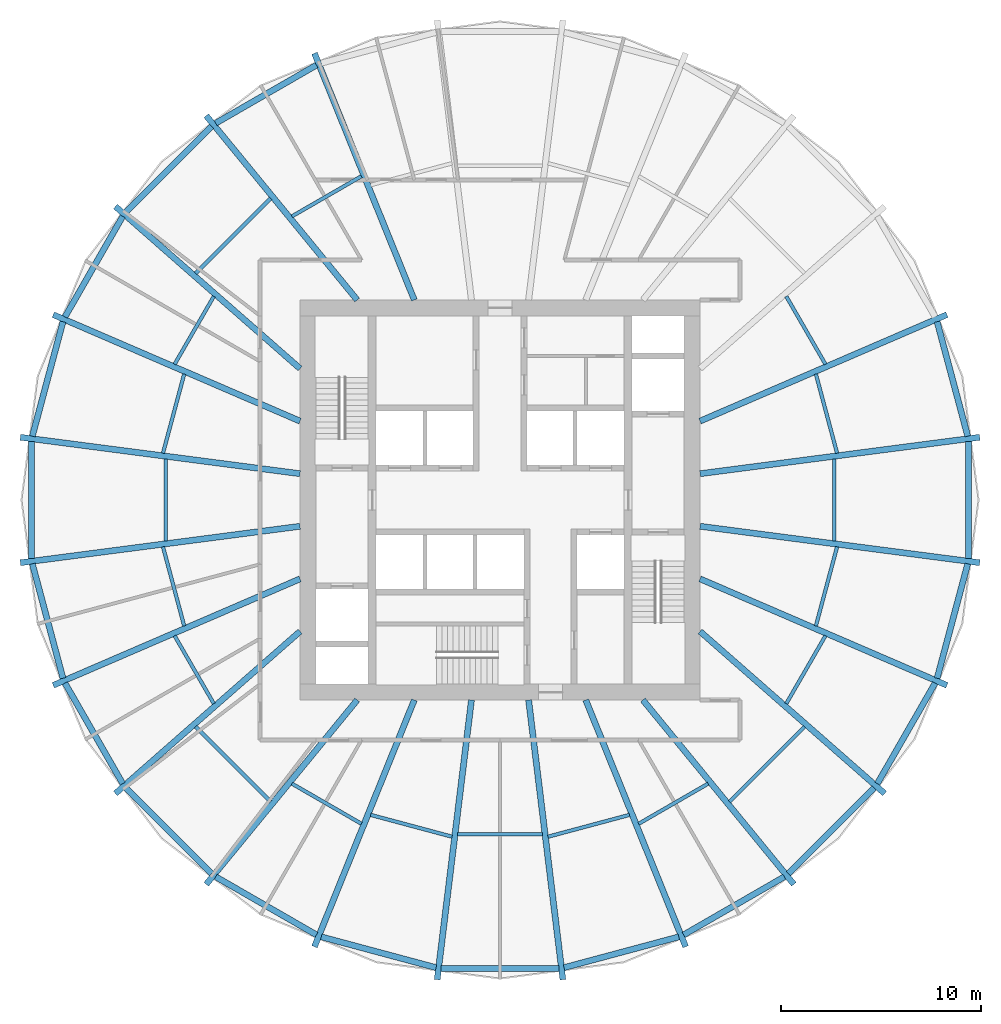
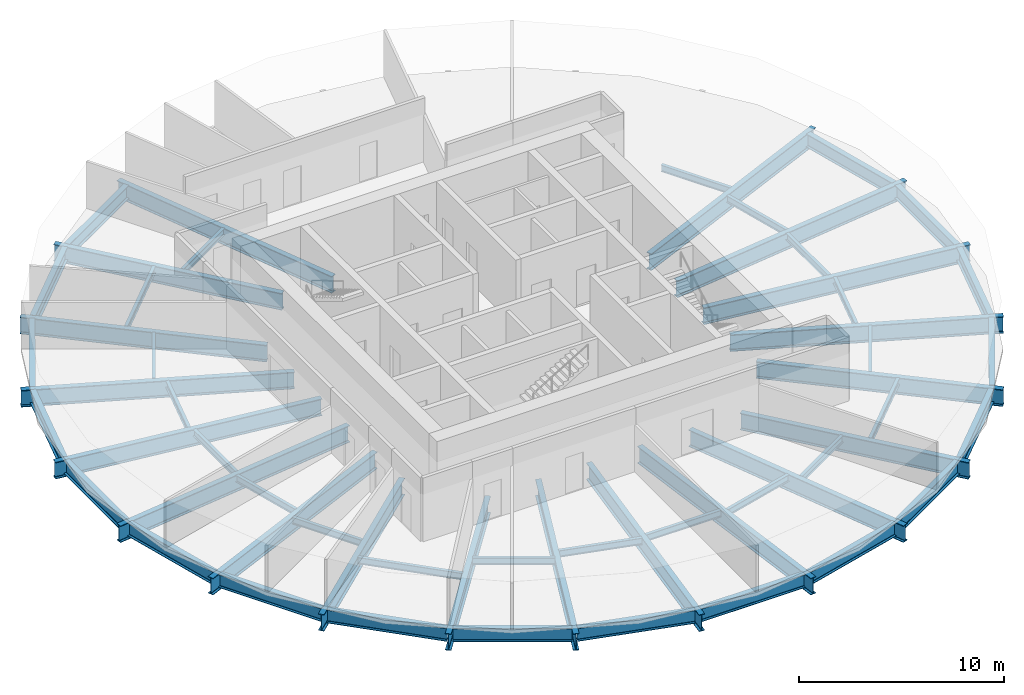
# One storey, part 1 of 6: 56 beams.
"""IFC4 building model written with IfcOpenShell, lengths in metres."""

from ifc_helpers import new_model, si_unit, direction, frame, origin, origin_2d, place, context, subcontext, project, spatial, i_section, extrude, material, material_profile, profile_set, type_object, element, save


model = new_model("IFC4")

# Units and contexts
model_context = context("Model", 3, precision=1e-05, world=origin(), true_north=direction((0.0, 1.0)))
body_context = subcontext(model_context, "Body", "Model", "MODEL_VIEW")
ifc_project = project(units=[si_unit("LENGTHUNIT", "METRE"), si_unit("AREAUNIT", "SQUARE_METRE"), si_unit("VOLUMEUNIT", "CUBIC_METRE"), si_unit("PLANEANGLEUNIT", "RADIAN"), si_unit("MASSUNIT", "GRAM", prefix="KILO")], contexts=[model_context])

# Site, building, storey
site_placement = place(None, origin())
site = spatial("IfcSite", under=ifc_project, at=site_placement, CompositionType="ELEMENT")
building_placement = place(site_placement, origin())
building = spatial("IfcBuilding", under=site, at=building_placement, Name="Golbaran Civic Tower", CompositionType="ELEMENT")
storey_placement = place(building_placement, frame((0.0, 0.0, 77.0)))
storey = spatial("IfcBuildingStorey", under=building, at=storey_placement, Name="L18", CompositionType="ELEMENT", Elevation=77.0)

# Beams
ifc_material = material(Name="Steel S355", Category="steel")
ifc_material_profile_1 = material_profile(ifc_material, i_section(OverallWidth=0.300048828125, OverallDepth=0.800048828125, WebThickness=0.017578125, FlangeThickness=0.032958984375, FilletRadius=0.030029296875, at=origin_2d()), Name="HEB 800")
ifc_profile_set_1 = profile_set([ifc_material_profile_1], Name="Steel S355")
beam_type_1 = type_object("IfcBeamType", Name="EDGE BEAM HEB 800", PredefinedType="BEAM", material=ifc_profile_set_1)
beam_1_placement = place(storey_placement, frame((23.3837890625, 3.190185546875, -0.60009765625), z_axis=(-0.258480679497, 0.966016427566, 0.0), x_axis=(-0.966016427566, -0.258480679497, 0.0)))
element("IfcBeam", 1, at=beam_1_placement, inside=storey, type_object=beam_type_1, Name="Edge beam 7.45 L18", PredefinedType="BEAM", context=body_context, shape_type="SweptSolid", body=[
    extrude(i_section(OverallWidth=0.300048828125, OverallDepth=0.800048828125, WebThickness=0.017578125, FlangeThickness=0.032958984375, FilletRadius=0.030029296875, at=origin_2d()), origin(), (0.0, 0.0, 1.0), 5.925048828125),
])
beam_2_placement = place(storey_placement, frame((-9.179931640625, 21.7421875, -0.60009765625), z_axis=(-0.86632400409, -0.499482452082, 0.0), x_axis=(0.499482452082, -0.86632400409, 0.0)))
element("IfcBeam", 2, at=beam_2_placement, inside=storey, type_object=beam_type_1, Name="Edge beam 112.55 L18", PredefinedType="BEAM", context=body_context, shape_type="SweptSolid", body=[
    extrude(i_section(OverallWidth=0.300048828125, OverallDepth=0.800048828125, WebThickness=0.017578125, FlangeThickness=0.032958984375, FilletRadius=0.030029296875, at=origin_2d()), origin(), (0.0, 0.0, 1.0), 5.812744140625),
])
beam_3_placement = place(storey_placement, frame((-14.422119140625, 18.6806640625, -0.60009765625), z_axis=(-0.706462346153, -0.707750629437, 0.0), x_axis=(0.707750629437, -0.706462346153, 0.0)))
element("IfcBeam", 3, at=beam_3_placement, inside=storey, type_object=beam_type_1, Name="Edge beam 127.45 L18", PredefinedType="BEAM", context=body_context, shape_type="SweptSolid", body=[
    extrude(i_section(OverallWidth=0.300048828125, OverallDepth=0.800048828125, WebThickness=0.017578125, FlangeThickness=0.032958984375, FilletRadius=0.030029296875, at=origin_2d()), origin(), (0.0, 0.0, 1.0), 6.064208984375),
])
beam_4_placement = place(storey_placement, frame((-18.864501953125, 14.181640625, -0.60009765625), z_axis=(-0.498205289317, -0.867059103923, 0.0), x_axis=(0.867059103923, -0.498205289317, 0.0)))
element("IfcBeam", 4, at=beam_4_placement, inside=storey, type_object=beam_type_1, Name="Edge beam 142.55 L18", PredefinedType="BEAM", context=body_context, shape_type="SweptSolid", body=[
    extrude(i_section(OverallWidth=0.300048828125, OverallDepth=0.800048828125, WebThickness=0.017578125, FlangeThickness=0.032958984375, FilletRadius=0.030029296875, at=origin_2d()), origin(), (0.0, 0.0, 1.0), 5.798095703125),
])
beam_5_placement = place(storey_placement, frame((-21.852294921875, 8.913818359375, -0.60009765625), z_axis=(-0.258480679497, -0.966016427566, 0.0), x_axis=(0.966016427566, -0.258480679497, 0.0)))
element("IfcBeam", 5, at=beam_5_placement, inside=storey, type_object=beam_type_1, Name="Edge beam 157.45 L18", PredefinedType="BEAM", context=body_context, shape_type="SweptSolid", body=[
    extrude(i_section(OverallWidth=0.300048828125, OverallDepth=0.800048828125, WebThickness=0.017578125, FlangeThickness=0.032958984375, FilletRadius=0.030029296875, at=origin_2d()), origin(), (0.0, 0.0, 1.0), 5.925048828125),
])
beam_6_placement = place(storey_placement, frame((-23.417724609375, 2.932373046875, -0.60009765625), z_axis=(0.0, -1.0, 0.0), x_axis=(1.0, 0.0, 0.0)))
element("IfcBeam", 6, at=beam_6_placement, inside=storey, type_object=beam_type_1, Name="Edge beam 172.55 L18", PredefinedType="BEAM", context=body_context, shape_type="SweptSolid", body=[
    extrude(i_section(OverallWidth=0.300048828125, OverallDepth=0.800048828125, WebThickness=0.017578125, FlangeThickness=0.032958984375, FilletRadius=0.030029296875, at=origin_2d()), origin(), (0.0, 0.0, 1.0), 5.86474609375),
])
beam_7_placement = place(storey_placement, frame((-23.3837890625, -3.190185546875, -0.60009765625), z_axis=(0.258480679497, -0.966016427566, 0.0), x_axis=(0.966016427566, 0.258480679497, 0.0)))
element("IfcBeam", 7, at=beam_7_placement, inside=storey, type_object=beam_type_1, Name="Edge beam 187.45 L18", PredefinedType="BEAM", context=body_context, shape_type="SweptSolid", body=[
    extrude(i_section(OverallWidth=0.300048828125, OverallDepth=0.800048828125, WebThickness=0.017578125, FlangeThickness=0.032958984375, FilletRadius=0.030029296875, at=origin_2d()), origin(), (0.0, 0.0, 1.0), 5.925048828125),
])
beam_8_placement = place(storey_placement, frame((-21.753173828125, -9.154296875, -0.60009765625), z_axis=(0.498205289317, -0.867059103923, 0.0), x_axis=(0.867059103923, 0.498205289317, 0.0)))
element("IfcBeam", 8, at=beam_8_placement, inside=storey, type_object=beam_type_1, Name="Edge beam 202.55 L18", PredefinedType="BEAM", context=body_context, shape_type="SweptSolid", body=[
    extrude(i_section(OverallWidth=0.300048828125, OverallDepth=0.800048828125, WebThickness=0.017578125, FlangeThickness=0.032958984375, FilletRadius=0.030029296875, at=origin_2d()), origin(), (0.0, 0.0, 1.0), 5.798095703125),
])
beam_9_placement = place(storey_placement, frame((-18.706298828125, -14.388671875, -0.60009765625), z_axis=(0.706462346153, -0.707750629437, 0.0), x_axis=(0.707750629437, 0.706462346153, 0.0)))
element("IfcBeam", 9, at=beam_9_placement, inside=storey, type_object=beam_type_1, Name="Edge beam 217.45 L18", PredefinedType="BEAM", context=body_context, shape_type="SweptSolid", body=[
    extrude(i_section(OverallWidth=0.300048828125, OverallDepth=0.800048828125, WebThickness=0.017578125, FlangeThickness=0.032958984375, FilletRadius=0.030029296875, at=origin_2d()), origin(), (0.0, 0.0, 1.0), 6.064208984375),
])
beam_10_placement = place(storey_placement, frame((-14.215576171875, -18.8388671875, -0.60009765625), z_axis=(0.86632400409, -0.499482452082, 0.0), x_axis=(0.499482452082, 0.86632400409, 0.0)))
element("IfcBeam", 10, at=beam_10_placement, inside=storey, type_object=beam_type_1, Name="Edge beam 232.55 L18", PredefinedType="BEAM", context=body_context, shape_type="SweptSolid", body=[
    extrude(i_section(OverallWidth=0.300048828125, OverallDepth=0.800048828125, WebThickness=0.017578125, FlangeThickness=0.032958984375, FilletRadius=0.030029296875, at=origin_2d()), origin(), (0.0, 0.0, 1.0), 5.812744140625),
])
beam_11_placement = place(storey_placement, frame((-8.939697265625, -21.841796875, -0.60009765625), z_axis=(0.965820515757, -0.259211750008, 0.0), x_axis=(0.259211750008, 0.965820515757, 0.0)))
element("IfcBeam", 11, at=beam_11_placement, inside=storey, type_object=beam_type_1, Name="Edge beam 247.45 L18", PredefinedType="BEAM", context=body_context, shape_type="SweptSolid", body=[
    extrude(i_section(OverallWidth=0.300048828125, OverallDepth=0.800048828125, WebThickness=0.017578125, FlangeThickness=0.032958984375, FilletRadius=0.030029296875, at=origin_2d()), origin(), (0.0, 0.0, 1.0), 5.943115234375),
])
beam_12_placement = place(storey_placement, frame((-2.94189453125, -23.41650390625, -0.60009765625), z_axis=(1.0, 0.0, 0.0), x_axis=(0.0, 1.0, 0.0)))
element("IfcBeam", 12, at=beam_12_placement, inside=storey, type_object=beam_type_1, Name="Edge beam 262.55 L18", PredefinedType="BEAM", context=body_context, shape_type="SweptSolid", body=[
    extrude(i_section(OverallWidth=0.300048828125, OverallDepth=0.800048828125, WebThickness=0.017578125, FlangeThickness=0.032958984375, FilletRadius=0.030029296875, at=origin_2d()), origin(), (0.0, 0.0, 1.0), 5.8837890625),
])
beam_13_placement = place(storey_placement, frame((3.19970703125, -23.38232421875, -0.60009765625), z_axis=(0.965820515757, 0.259211750008, 0.0), x_axis=(-0.259211750008, 0.965820515757, 0.0)))
element("IfcBeam", 13, at=beam_13_placement, inside=storey, type_object=beam_type_1, Name="Edge beam 277.45 L18", PredefinedType="BEAM", context=body_context, shape_type="SweptSolid", body=[
    extrude(i_section(OverallWidth=0.300048828125, OverallDepth=0.800048828125, WebThickness=0.017578125, FlangeThickness=0.032958984375, FilletRadius=0.030029296875, at=origin_2d()), origin(), (0.0, 0.0, 1.0), 5.943115234375),
])
beam_14_placement = place(storey_placement, frame((9.179931640625, -21.7421875, -0.60009765625), z_axis=(0.86632400409, 0.499482452082, 0.0), x_axis=(-0.499482452082, 0.86632400409, 0.0)))
element("IfcBeam", 14, at=beam_14_placement, inside=storey, type_object=beam_type_1, Name="Edge beam 292.55 L18", PredefinedType="BEAM", context=body_context, shape_type="SweptSolid", body=[
    extrude(i_section(OverallWidth=0.300048828125, OverallDepth=0.800048828125, WebThickness=0.017578125, FlangeThickness=0.032958984375, FilletRadius=0.030029296875, at=origin_2d()), origin(), (0.0, 0.0, 1.0), 5.812744140625),
])
beam_15_placement = place(storey_placement, frame((14.422119140625, -18.6806640625, -0.60009765625), z_axis=(0.706462346153, 0.707750629437, 0.0), x_axis=(-0.707750629437, 0.706462346153, 0.0)))
element("IfcBeam", 15, at=beam_15_placement, inside=storey, type_object=beam_type_1, Name="Edge beam 307.45 L18", PredefinedType="BEAM", context=body_context, shape_type="SweptSolid", body=[
    extrude(i_section(OverallWidth=0.300048828125, OverallDepth=0.800048828125, WebThickness=0.017578125, FlangeThickness=0.032958984375, FilletRadius=0.030029296875, at=origin_2d()), origin(), (0.0, 0.0, 1.0), 6.064208984375),
])
beam_16_placement = place(storey_placement, frame((18.864501953125, -14.181640625, -0.60009765625), z_axis=(0.498205289317, 0.867059103923, 0.0), x_axis=(-0.867059103923, 0.498205289317, 0.0)))
element("IfcBeam", 16, at=beam_16_placement, inside=storey, type_object=beam_type_1, Name="Edge beam 322.55 L18", PredefinedType="BEAM", context=body_context, shape_type="SweptSolid", body=[
    extrude(i_section(OverallWidth=0.300048828125, OverallDepth=0.800048828125, WebThickness=0.017578125, FlangeThickness=0.032958984375, FilletRadius=0.030029296875, at=origin_2d()), origin(), (0.0, 0.0, 1.0), 5.798095703125),
])
beam_17_placement = place(storey_placement, frame((21.852294921875, -8.913818359375, -0.60009765625), z_axis=(0.258480679497, 0.966016427566, 0.0), x_axis=(-0.966016427566, 0.258480679497, 0.0)))
element("IfcBeam", 17, at=beam_17_placement, inside=storey, type_object=beam_type_1, Name="Edge beam 337.45 L18", PredefinedType="BEAM", context=body_context, shape_type="SweptSolid", body=[
    extrude(i_section(OverallWidth=0.300048828125, OverallDepth=0.800048828125, WebThickness=0.017578125, FlangeThickness=0.032958984375, FilletRadius=0.030029296875, at=origin_2d()), origin(), (0.0, 0.0, 1.0), 5.925048828125),
])
beam_18_placement = place(storey_placement, frame((23.417724609375, -2.932373046875, -0.60009765625), z_axis=(0.0, 1.0, 0.0), x_axis=(-1.0, 0.0, 0.0)))
element("IfcBeam", 18, at=beam_18_placement, inside=storey, type_object=beam_type_1, Name="Edge beam 352.55 L18", PredefinedType="BEAM", context=body_context, shape_type="SweptSolid", body=[
    extrude(i_section(OverallWidth=0.300048828125, OverallDepth=0.800048828125, WebThickness=0.017578125, FlangeThickness=0.032958984375, FilletRadius=0.030029296875, at=origin_2d()), origin(), (0.0, 0.0, 1.0), 5.86474609375),
])
ifc_material_profile_2 = material_profile(ifc_material, i_section(OverallWidth=0.179931640625, OverallDepth=0.39990234375, WebThickness=0.008544921875, FlangeThickness=0.013427734375, FilletRadius=0.02099609375, at=origin_2d()), Name="IPE 400")
ifc_profile_set_2 = profile_set([ifc_material_profile_2], Name="Steel S355")
beam_type_2 = type_object("IfcBeamType", Name="FLOOR INFILL BEAM IPE 400", PredefinedType="BEAM", material=ifc_profile_set_2)
beam_19_placement = place(storey_placement, frame((16.85205078125, 2.338623046875, -0.39990234375), z_axis=(-0.258766838987, 0.965939813364, 0.0), x_axis=(-0.965939813364, -0.258766838987, 0.0)))
element("IfcBeam", 19, at=beam_19_placement, inside=storey, type_object=beam_type_2, Name="Infill beam 15.00 L18", PredefinedType="BEAM", context=body_context, shape_type="SweptSolid", body=[
    extrude(i_section(OverallWidth=0.179931640625, OverallDepth=0.39990234375, WebThickness=0.008544921875, FlangeThickness=0.013427734375, FilletRadius=0.02099609375, at=origin_2d()), origin(), (0.0, 0.0, 1.0), 4.100341796875),
])
beam_20_placement = place(storey_placement, frame((16.269775390625, 6.7890625, -0.39990234375), z_axis=(-0.500011863616, 0.866018554214, 0.0), x_axis=(-0.866018554214, -0.500011863616, 0.0)))
element("IfcBeam", 20, at=beam_20_placement, inside=storey, type_object=beam_type_2, Name="Infill beam 30.00 L18", PredefinedType="BEAM", context=body_context, shape_type="SweptSolid", body=[
    extrude(i_section(OverallWidth=0.179931640625, OverallDepth=0.39990234375, WebThickness=0.008544921875, FlangeThickness=0.013427734375, FilletRadius=0.02099609375, at=origin_2d()), origin(), (0.0, 0.0, 1.0), 3.9189453125),
])
beam_21_placement = place(storey_placement, frame((-6.930908203125, 16.187255859375, -0.39990234375), z_axis=(-0.866030383119, -0.499991375441, 0.0), x_axis=(0.499991375441, -0.866030383119, 0.0)))
element("IfcBeam", 21, at=beam_21_placement, inside=storey, type_object=beam_type_2, Name="Infill beam 120.00 L18", PredefinedType="BEAM", context=body_context, shape_type="SweptSolid", body=[
    extrude(i_section(OverallWidth=0.179931640625, OverallDepth=0.39990234375, WebThickness=0.008544921875, FlangeThickness=0.013427734375, FilletRadius=0.02099609375, at=origin_2d()), origin(), (0.0, 0.0, 1.0), 4.0078125),
])
beam_22_placement = place(storey_placement, frame((-11.47119140625, 15.078369140625, -0.39990234375), z_axis=(-0.707106781187, -0.707106781187, 0.0), x_axis=(0.707106781187, -0.707106781187, 0.0)))
element("IfcBeam", 22, at=beam_22_placement, inside=storey, type_object=beam_type_2, Name="Infill beam 135.00 L18", PredefinedType="BEAM", context=body_context, shape_type="SweptSolid", body=[
    extrude(i_section(OverallWidth=0.179931640625, OverallDepth=0.39990234375, WebThickness=0.008544921875, FlangeThickness=0.013427734375, FilletRadius=0.02099609375, at=origin_2d()), origin(), (0.0, 0.0, 1.0), 5.302978515625),
])
beam_23_placement = place(storey_placement, frame((-14.310302734375, 10.182861328125, -0.39990234375), z_axis=(-0.500011863616, -0.866018554214, 0.0), x_axis=(0.866018554214, -0.500011863616, 0.0)))
element("IfcBeam", 23, at=beam_23_placement, inside=storey, type_object=beam_type_2, Name="Infill beam 150.00 L18", PredefinedType="BEAM", context=body_context, shape_type="SweptSolid", body=[
    extrude(i_section(OverallWidth=0.179931640625, OverallDepth=0.39990234375, WebThickness=0.008544921875, FlangeThickness=0.013427734375, FilletRadius=0.02099609375, at=origin_2d()), origin(), (0.0, 0.0, 1.0), 3.9189453125),
])
beam_24_placement = place(storey_placement, frame((-15.791015625, 6.29931640625, -0.39990234375), z_axis=(-0.258766838987, -0.965939813364, 0.0), x_axis=(0.965939813364, -0.258766838987, 0.0)))
element("IfcBeam", 24, at=beam_24_placement, inside=storey, type_object=beam_type_2, Name="Infill beam 165.00 L18", PredefinedType="BEAM", context=body_context, shape_type="SweptSolid", body=[
    extrude(i_section(OverallWidth=0.179931640625, OverallDepth=0.39990234375, WebThickness=0.008544921875, FlangeThickness=0.013427734375, FilletRadius=0.02099609375, at=origin_2d()), origin(), (0.0, 0.0, 1.0), 4.100341796875),
])
beam_25_placement = place(storey_placement, frame((-16.708740234375, 2.057861328125, -0.39990234375), z_axis=(0.0, -1.0, 0.0), x_axis=(1.0, 0.0, 0.0)))
element("IfcBeam", 25, at=beam_25_placement, inside=storey, type_object=beam_type_2, Name="Infill beam 180.00 L18", PredefinedType="BEAM", context=body_context, shape_type="SweptSolid", body=[
    extrude(i_section(OverallWidth=0.179931640625, OverallDepth=0.39990234375, WebThickness=0.008544921875, FlangeThickness=0.013427734375, FilletRadius=0.02099609375, at=origin_2d()), origin(), (0.0, 0.0, 1.0), 4.11572265625),
])
beam_26_placement = place(storey_placement, frame((-16.85205078125, -2.338623046875, -0.39990234375), z_axis=(0.258766838987, -0.965939813364, 0.0), x_axis=(0.965939813364, 0.258766838987, 0.0)))
element("IfcBeam", 26, at=beam_26_placement, inside=storey, type_object=beam_type_2, Name="Infill beam 195.00 L18", PredefinedType="BEAM", context=body_context, shape_type="SweptSolid", body=[
    extrude(i_section(OverallWidth=0.179931640625, OverallDepth=0.39990234375, WebThickness=0.008544921875, FlangeThickness=0.013427734375, FilletRadius=0.02099609375, at=origin_2d()), origin(), (0.0, 0.0, 1.0), 4.100341796875),
])
beam_27_placement = place(storey_placement, frame((-16.269775390625, -6.7890625, -0.39990234375), z_axis=(0.500011863616, -0.866018554214, 0.0), x_axis=(0.866018554214, 0.500011863616, 0.0)))
element("IfcBeam", 27, at=beam_27_placement, inside=storey, type_object=beam_type_2, Name="Infill beam 210.00 L18", PredefinedType="BEAM", context=body_context, shape_type="SweptSolid", body=[
    extrude(i_section(OverallWidth=0.179931640625, OverallDepth=0.39990234375, WebThickness=0.008544921875, FlangeThickness=0.013427734375, FilletRadius=0.02099609375, at=origin_2d()), origin(), (0.0, 0.0, 1.0), 3.9189453125),
])
beam_28_placement = place(storey_placement, frame((-15.220947265625, -11.32861328125, -0.39990234375), z_axis=(0.707106781187, -0.707106781187, 0.0), x_axis=(0.707106781187, 0.707106781187, 0.0)))
element("IfcBeam", 28, at=beam_28_placement, inside=storey, type_object=beam_type_2, Name="Infill beam 225.00 L18", PredefinedType="BEAM", context=body_context, shape_type="SweptSolid", body=[
    extrude(i_section(OverallWidth=0.179931640625, OverallDepth=0.39990234375, WebThickness=0.008544921875, FlangeThickness=0.013427734375, FilletRadius=0.02099609375, at=origin_2d()), origin(), (0.0, 0.0, 1.0), 5.302978515625),
])
beam_29_placement = place(storey_placement, frame((-10.40185546875, -14.183349609375, -0.39990234375), z_axis=(0.866030383119, -0.499991375441, 0.0), x_axis=(0.499991375441, 0.866030383119, 0.0)))
element("IfcBeam", 29, at=beam_29_placement, inside=storey, type_object=beam_type_2, Name="Infill beam 240.00 L18", PredefinedType="BEAM", context=body_context, shape_type="SweptSolid", body=[
    extrude(i_section(OverallWidth=0.179931640625, OverallDepth=0.39990234375, WebThickness=0.008544921875, FlangeThickness=0.013427734375, FilletRadius=0.02099609375, at=origin_2d()), origin(), (0.0, 0.0, 1.0), 4.0078125),
])
beam_30_placement = place(storey_placement, frame((-6.47119140625, -15.744384765625, -0.39990234375), z_axis=(0.965929707006, -0.258804561636, 0.0), x_axis=(0.258804561636, 0.965929707006, 0.0)))
element("IfcBeam", 30, at=beam_30_placement, inside=storey, type_object=beam_type_2, Name="Infill beam 255.00 L18", PredefinedType="BEAM", context=body_context, shape_type="SweptSolid", body=[
    extrude(i_section(OverallWidth=0.179931640625, OverallDepth=0.39990234375, WebThickness=0.008544921875, FlangeThickness=0.013427734375, FilletRadius=0.02099609375, at=origin_2d()), origin(), (0.0, 0.0, 1.0), 4.2177734375),
])
beam_31_placement = place(storey_placement, frame((-2.11962890625, -16.708251953125, -0.39990234375), z_axis=(1.0, 0.0, 0.0), x_axis=(0.0, 1.0, 0.0)))
element("IfcBeam", 31, at=beam_31_placement, inside=storey, type_object=beam_type_2, Name="Infill beam 270.00 L18", PredefinedType="BEAM", context=body_context, shape_type="SweptSolid", body=[
    extrude(i_section(OverallWidth=0.179931640625, OverallDepth=0.39990234375, WebThickness=0.008544921875, FlangeThickness=0.013427734375, FilletRadius=0.02099609375, at=origin_2d()), origin(), (0.0, 0.0, 1.0), 4.2392578125),
])
beam_32_placement = place(storey_placement, frame((2.397216796875, -16.8359375, -0.39990234375), z_axis=(0.965929707006, 0.258804561636, 0.0), x_axis=(-0.258804561636, 0.965929707006, 0.0)))
element("IfcBeam", 32, at=beam_32_placement, inside=storey, type_object=beam_type_2, Name="Infill beam 285.00 L18", PredefinedType="BEAM", context=body_context, shape_type="SweptSolid", body=[
    extrude(i_section(OverallWidth=0.179931640625, OverallDepth=0.39990234375, WebThickness=0.008544921875, FlangeThickness=0.013427734375, FilletRadius=0.02099609375, at=origin_2d()), origin(), (0.0, 0.0, 1.0), 4.2177734375),
])
beam_33_placement = place(storey_placement, frame((6.930908203125, -16.187255859375, -0.39990234375), z_axis=(0.866030383119, 0.499991375441, 0.0), x_axis=(-0.499991375441, 0.866030383119, 0.0)))
element("IfcBeam", 33, at=beam_33_placement, inside=storey, type_object=beam_type_2, Name="Infill beam 300.00 L18", PredefinedType="BEAM", context=body_context, shape_type="SweptSolid", body=[
    extrude(i_section(OverallWidth=0.179931640625, OverallDepth=0.39990234375, WebThickness=0.008544921875, FlangeThickness=0.013427734375, FilletRadius=0.02099609375, at=origin_2d()), origin(), (0.0, 0.0, 1.0), 4.0078125),
])
beam_34_placement = place(storey_placement, frame((11.47119140625, -15.078369140625, -0.39990234375), z_axis=(0.707106781187, 0.707106781187, 0.0), x_axis=(-0.707106781187, 0.707106781187, 0.0)))
element("IfcBeam", 34, at=beam_34_placement, inside=storey, type_object=beam_type_2, Name="Infill beam 315.00 L18", PredefinedType="BEAM", context=body_context, shape_type="SweptSolid", body=[
    extrude(i_section(OverallWidth=0.179931640625, OverallDepth=0.39990234375, WebThickness=0.008544921875, FlangeThickness=0.013427734375, FilletRadius=0.02099609375, at=origin_2d()), origin(), (0.0, 0.0, 1.0), 5.302978515625),
])
beam_35_placement = place(storey_placement, frame((14.310302734375, -10.182861328125, -0.39990234375), z_axis=(0.500011863616, 0.866018554214, 0.0), x_axis=(-0.866018554214, 0.500011863616, 0.0)))
element("IfcBeam", 35, at=beam_35_placement, inside=storey, type_object=beam_type_2, Name="Infill beam 330.00 L18", PredefinedType="BEAM", context=body_context, shape_type="SweptSolid", body=[
    extrude(i_section(OverallWidth=0.179931640625, OverallDepth=0.39990234375, WebThickness=0.008544921875, FlangeThickness=0.013427734375, FilletRadius=0.02099609375, at=origin_2d()), origin(), (0.0, 0.0, 1.0), 3.9189453125),
])
beam_36_placement = place(storey_placement, frame((15.791015625, -6.29931640625, -0.39990234375), z_axis=(0.258766838987, 0.965939813364, 0.0), x_axis=(-0.965939813364, 0.258766838987, 0.0)))
element("IfcBeam", 36, at=beam_36_placement, inside=storey, type_object=beam_type_2, Name="Infill beam 345.00 L18", PredefinedType="BEAM", context=body_context, shape_type="SweptSolid", body=[
    extrude(i_section(OverallWidth=0.179931640625, OverallDepth=0.39990234375, WebThickness=0.008544921875, FlangeThickness=0.013427734375, FilletRadius=0.02099609375, at=origin_2d()), origin(), (0.0, 0.0, 1.0), 4.100341796875),
])
beam_37_placement = place(storey_placement, frame((16.708740234375, -2.057861328125, -0.39990234375), z_axis=(0.0, 1.0, 0.0), x_axis=(-1.0, 0.0, 0.0)))
element("IfcBeam", 37, at=beam_37_placement, inside=storey, type_object=beam_type_2, Name="Infill beam 0.00 L18", PredefinedType="BEAM", context=body_context, shape_type="SweptSolid", body=[
    extrude(i_section(OverallWidth=0.179931640625, OverallDepth=0.39990234375, WebThickness=0.008544921875, FlangeThickness=0.013427734375, FilletRadius=0.02099609375, at=origin_2d()), origin(), (0.0, 0.0, 1.0), 4.11572265625),
])
ifc_material_profile_3 = material_profile(ifc_material, i_section(OverallWidth=0.300048828125, OverallDepth=1.0, WebThickness=0.01904296875, FlangeThickness=0.035888671875, FilletRadius=0.030029296875, at=origin_2d()), Name="HEB 1000")
ifc_profile_set_3 = profile_set([ifc_material_profile_3], Name="Steel S355")
beam_type_3 = type_object("IfcBeamType", Name="RADIAL FLOOR BEAM HEB 1000", PredefinedType="BEAM", material=ifc_profile_set_3)
beam_38_placement = place(storey_placement, frame((10.0, 1.314208984375, -0.7099609375), z_axis=(0.991609002097, 0.129273303352, 0.0), x_axis=(-0.129273303352, 0.991609002097, 0.0)))
element("IfcBeam", 38, at=beam_38_placement, inside=storey, type_object=beam_type_3, Name="Radial beam 7.45 L18", PredefinedType="BEAM", context=body_context, shape_type="SweptSolid", body=[
    extrude(i_section(OverallWidth=0.300048828125, OverallDepth=1.0, WebThickness=0.01904296875, FlangeThickness=0.035888671875, FilletRadius=0.030029296875, at=origin_2d()), origin(), (0.0, 0.0, 1.0), 14.10009765625),
])
beam_39_placement = place(storey_placement, frame((10.0, 3.94287109375, -0.7099609375), z_axis=(0.918216006118, 0.396079999632, 0.0), x_axis=(-0.396079999632, 0.918216006118, 0.0)))
element("IfcBeam", 39, at=beam_39_placement, inside=storey, type_object=beam_type_3, Name="Radial beam 22.55 L18", PredefinedType="BEAM", context=body_context, shape_type="SweptSolid", body=[
    extrude(i_section(OverallWidth=0.300048828125, OverallDepth=1.0, WebThickness=0.01904296875, FlangeThickness=0.035888671875, FilletRadius=0.030029296875, at=origin_2d()), origin(), (0.0, 0.0, 1.0), 13.439208984375),
])
beam_40_placement = place(storey_placement, frame((-4.28564453125, 10.0, -0.7099609375), z_axis=(-0.375277952017, 0.926912325266, 0.0), x_axis=(-0.926912325266, -0.375277952017, 0.0)))
element("IfcBeam", 40, at=beam_40_placement, inside=storey, type_object=beam_type_3, Name="Radial beam 112.55 L18", PredefinedType="BEAM", context=body_context, shape_type="SweptSolid", body=[
    extrude(i_section(OverallWidth=0.300048828125, OverallDepth=1.0, WebThickness=0.01904296875, FlangeThickness=0.035888671875, FilletRadius=0.030029296875, at=origin_2d()), origin(), (0.0, 0.0, 1.0), 13.307861328125),
])
beam_41_placement = place(storey_placement, frame((-7.142822265625, 10.0, -0.7099609375), z_axis=(-0.633716500035, 0.77356538029, 0.0), x_axis=(-0.77356538029, -0.633716500035, 0.0)))
element("IfcBeam", 41, at=beam_41_placement, inside=storey, type_object=beam_type_3, Name="Radial beam 127.45 L18", PredefinedType="BEAM", context=body_context, shape_type="SweptSolid", body=[
    extrude(i_section(OverallWidth=0.300048828125, OverallDepth=1.0, WebThickness=0.01904296875, FlangeThickness=0.035888671875, FilletRadius=0.030029296875, at=origin_2d()), origin(), (0.0, 0.0, 1.0), 11.9111328125),
])
beam_42_placement = place(storey_placement, frame((-10.0, 6.571533203125, -0.7099609375), z_axis=(-0.751462341664, 0.659775983998, 0.0), x_axis=(-0.659775983998, -0.751462341664, 0.0)))
element("IfcBeam", 42, at=beam_42_placement, inside=storey, type_object=beam_type_3, Name="Radial beam 142.55 L18", PredefinedType="BEAM", context=body_context, shape_type="SweptSolid", body=[
    extrude(i_section(OverallWidth=0.300048828125, OverallDepth=1.0, WebThickness=0.01904296875, FlangeThickness=0.035888671875, FilletRadius=0.030029296875, at=origin_2d()), origin(), (0.0, 0.0, 1.0), 12.28076171875),
])
beam_43_placement = place(storey_placement, frame((-10.0, 3.94287109375, -0.7099609375), z_axis=(-0.918216006118, 0.396079999632, 0.0), x_axis=(-0.396079999632, -0.918216006118, 0.0)))
element("IfcBeam", 43, at=beam_43_placement, inside=storey, type_object=beam_type_3, Name="Radial beam 157.45 L18", PredefinedType="BEAM", context=body_context, shape_type="SweptSolid", body=[
    extrude(i_section(OverallWidth=0.300048828125, OverallDepth=1.0, WebThickness=0.01904296875, FlangeThickness=0.035888671875, FilletRadius=0.030029296875, at=origin_2d()), origin(), (0.0, 0.0, 1.0), 13.439208984375),
])
for number, where, z_axis, x_axis, name in (
    (44, (-10.0, 1.314208984375, -0.7099609375), (-0.991609002097, 0.129273303352, 0.0), (-0.129273303352, -0.991609002097, 0.0), "Radial beam 172.55 L18"),
    (45, (-10.0, -1.314208984375, -0.7099609375), (-0.991609002097, -0.129273303352, 0.0), (0.129273303352, -0.991609002097, 0.0), "Radial beam 187.45 L18"),
):
    element("IfcBeam", number, at=place(storey_placement, frame(where, z_axis=z_axis, x_axis=x_axis)), inside=storey, type_object=beam_type_3, Name=name, PredefinedType="BEAM", context=body_context, shape_type="SweptSolid", body=[
        extrude(i_section(OverallWidth=0.300048828125, OverallDepth=1.0, WebThickness=0.01904296875, FlangeThickness=0.035888671875, FilletRadius=0.030029296875, at=origin_2d()), origin(), (0.0, 0.0, 1.0), 14.10009765625),
    ])
beam_44_placement = place(storey_placement, frame((-10.0, -3.94287109375, -0.7099609375), z_axis=(-0.918216006118, -0.396079999632, 0.0), x_axis=(0.396079999632, -0.918216006118, 0.0)))
element("IfcBeam", 46, at=beam_44_placement, inside=storey, type_object=beam_type_3, Name="Radial beam 202.55 L18", PredefinedType="BEAM", context=body_context, shape_type="SweptSolid", body=[
    extrude(i_section(OverallWidth=0.300048828125, OverallDepth=1.0, WebThickness=0.01904296875, FlangeThickness=0.035888671875, FilletRadius=0.030029296875, at=origin_2d()), origin(), (0.0, 0.0, 1.0), 13.439208984375),
])
beam_45_placement = place(storey_placement, frame((-10.0, -6.571533203125, -0.7099609375), z_axis=(-0.751462341664, -0.659775983998, 0.0), x_axis=(0.659775983998, -0.751462341664, 0.0)))
element("IfcBeam", 47, at=beam_45_placement, inside=storey, type_object=beam_type_3, Name="Radial beam 217.45 L18", PredefinedType="BEAM", context=body_context, shape_type="SweptSolid", body=[
    extrude(i_section(OverallWidth=0.300048828125, OverallDepth=1.0, WebThickness=0.01904296875, FlangeThickness=0.035888671875, FilletRadius=0.030029296875, at=origin_2d()), origin(), (0.0, 0.0, 1.0), 12.28076171875),
])
beam_46_placement = place(storey_placement, frame((-7.142822265625, -10.0, -0.7099609375), z_axis=(-0.633716500035, -0.77356538029, 0.0), x_axis=(0.77356538029, -0.633716500035, 0.0)))
element("IfcBeam", 48, at=beam_46_placement, inside=storey, type_object=beam_type_3, Name="Radial beam 232.55 L18", PredefinedType="BEAM", context=body_context, shape_type="SweptSolid", body=[
    extrude(i_section(OverallWidth=0.300048828125, OverallDepth=1.0, WebThickness=0.01904296875, FlangeThickness=0.035888671875, FilletRadius=0.030029296875, at=origin_2d()), origin(), (0.0, 0.0, 1.0), 11.9111328125),
])
beam_47_placement = place(storey_placement, frame((-4.28564453125, -10.0, -0.7099609375), z_axis=(-0.375277952017, -0.926912325266, 0.0), x_axis=(0.926912325266, -0.375277952017, 0.0)))
element("IfcBeam", 49, at=beam_47_placement, inside=storey, type_object=beam_type_3, Name="Radial beam 247.45 L18", PredefinedType="BEAM", context=body_context, shape_type="SweptSolid", body=[
    extrude(i_section(OverallWidth=0.300048828125, OverallDepth=1.0, WebThickness=0.01904296875, FlangeThickness=0.035888671875, FilletRadius=0.030029296875, at=origin_2d()), origin(), (0.0, 0.0, 1.0), 13.307861328125),
])
for number, where, z_axis, x_axis, name in (
    (50, (-1.428466796875, -10.0, -0.7099609375), (-0.121642954477, -0.9925739225, 0.0), (0.9925739225, -0.121642954477, 0.0), "Radial beam 262.55 L18"),
    (51, (1.428466796875, -10.0, -0.7099609375), (0.121642954477, -0.9925739225, 0.0), (0.9925739225, 0.121642954477, 0.0), "Radial beam 277.45 L18"),
):
    element("IfcBeam", number, at=place(storey_placement, frame(where, z_axis=z_axis, x_axis=x_axis)), inside=storey, type_object=beam_type_3, Name=name, PredefinedType="BEAM", context=body_context, shape_type="SweptSolid", body=[
        extrude(i_section(OverallWidth=0.300048828125, OverallDepth=1.0, WebThickness=0.01904296875, FlangeThickness=0.035888671875, FilletRadius=0.030029296875, at=origin_2d()), origin(), (0.0, 0.0, 1.0), 14.085205078125),
    ])
beam_48_placement = place(storey_placement, frame((4.28564453125, -10.0, -0.7099609375), z_axis=(0.375277952017, -0.926912325266, 0.0), x_axis=(0.926912325266, 0.375277952017, 0.0)))
element("IfcBeam", 52, at=beam_48_placement, inside=storey, type_object=beam_type_3, Name="Radial beam 292.55 L18", PredefinedType="BEAM", context=body_context, shape_type="SweptSolid", body=[
    extrude(i_section(OverallWidth=0.300048828125, OverallDepth=1.0, WebThickness=0.01904296875, FlangeThickness=0.035888671875, FilletRadius=0.030029296875, at=origin_2d()), origin(), (0.0, 0.0, 1.0), 13.307861328125),
])
beam_49_placement = place(storey_placement, frame((7.142822265625, -10.0, -0.7099609375), z_axis=(0.633716500035, -0.77356538029, 0.0), x_axis=(0.77356538029, 0.633716500035, 0.0)))
element("IfcBeam", 53, at=beam_49_placement, inside=storey, type_object=beam_type_3, Name="Radial beam 307.45 L18", PredefinedType="BEAM", context=body_context, shape_type="SweptSolid", body=[
    extrude(i_section(OverallWidth=0.300048828125, OverallDepth=1.0, WebThickness=0.01904296875, FlangeThickness=0.035888671875, FilletRadius=0.030029296875, at=origin_2d()), origin(), (0.0, 0.0, 1.0), 11.9111328125),
])
beam_50_placement = place(storey_placement, frame((10.0, -6.571533203125, -0.7099609375), z_axis=(0.751462341664, -0.659775983998, 0.0), x_axis=(0.659775983998, 0.751462341664, 0.0)))
element("IfcBeam", 54, at=beam_50_placement, inside=storey, type_object=beam_type_3, Name="Radial beam 322.55 L18", PredefinedType="BEAM", context=body_context, shape_type="SweptSolid", body=[
    extrude(i_section(OverallWidth=0.300048828125, OverallDepth=1.0, WebThickness=0.01904296875, FlangeThickness=0.035888671875, FilletRadius=0.030029296875, at=origin_2d()), origin(), (0.0, 0.0, 1.0), 12.28076171875),
])
beam_51_placement = place(storey_placement, frame((10.0, -3.94287109375, -0.7099609375), z_axis=(0.918216006118, -0.396079999632, 0.0), x_axis=(0.396079999632, 0.918216006118, 0.0)))
element("IfcBeam", 55, at=beam_51_placement, inside=storey, type_object=beam_type_3, Name="Radial beam 337.45 L18", PredefinedType="BEAM", context=body_context, shape_type="SweptSolid", body=[
    extrude(i_section(OverallWidth=0.300048828125, OverallDepth=1.0, WebThickness=0.01904296875, FlangeThickness=0.035888671875, FilletRadius=0.030029296875, at=origin_2d()), origin(), (0.0, 0.0, 1.0), 13.439208984375),
])
beam_52_placement = place(storey_placement, frame((10.0, -1.314208984375, -0.7099609375), z_axis=(0.991609002097, -0.129273303352, 0.0), x_axis=(0.129273303352, 0.991609002097, 0.0)))
element("IfcBeam", 56, at=beam_52_placement, inside=storey, type_object=beam_type_3, Name="Radial beam 352.55 L18", PredefinedType="BEAM", context=body_context, shape_type="SweptSolid", body=[
    extrude(i_section(OverallWidth=0.300048828125, OverallDepth=1.0, WebThickness=0.01904296875, FlangeThickness=0.035888671875, FilletRadius=0.030029296875, at=origin_2d()), origin(), (0.0, 0.0, 1.0), 14.10009765625),
])

save(model, "model.ifc")
